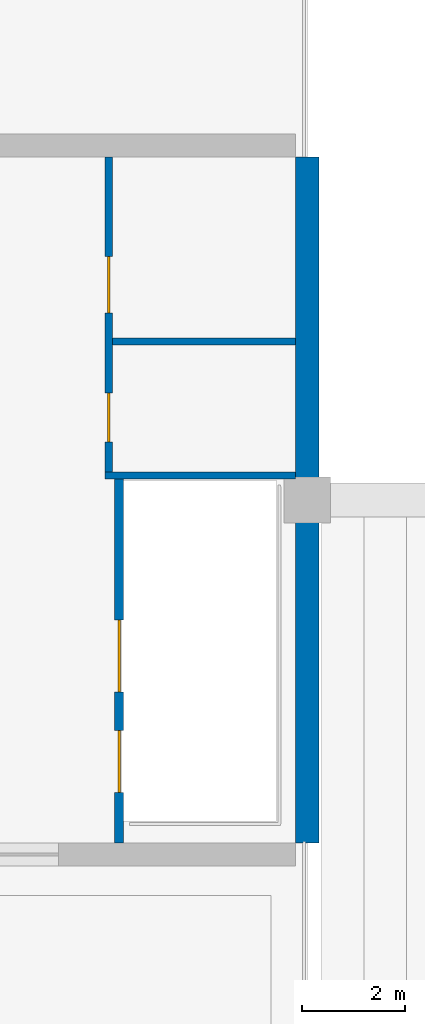
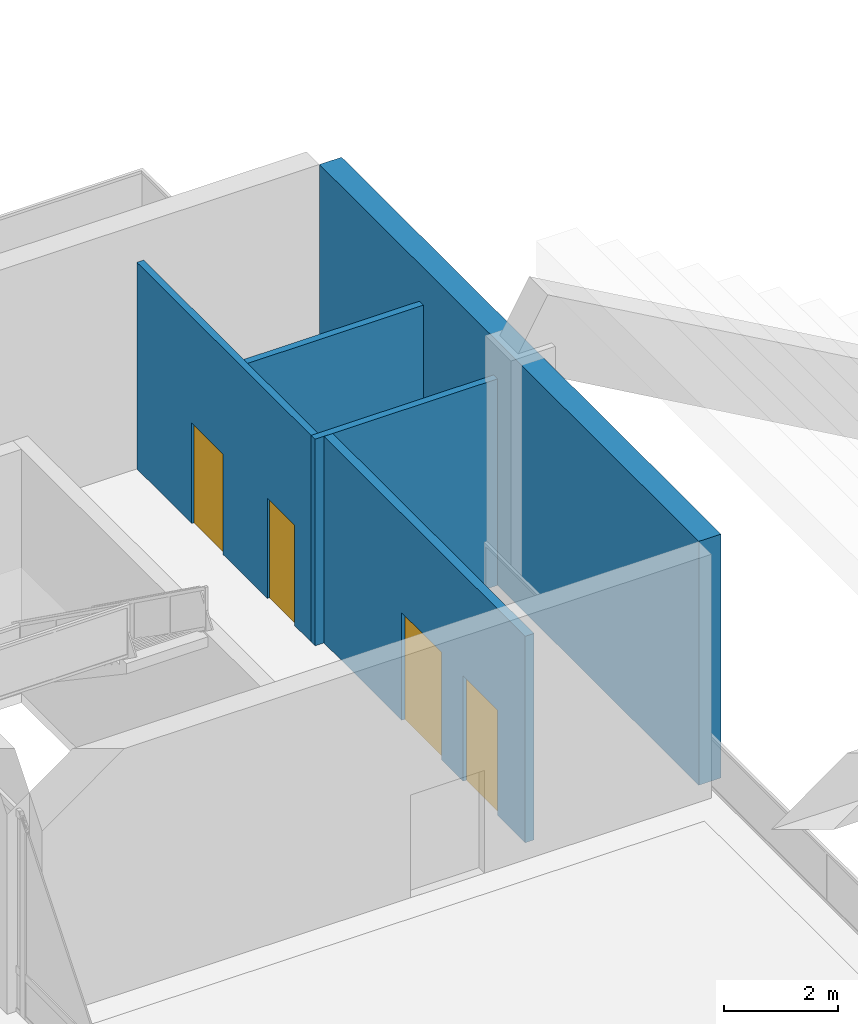
# One storey, part 72 of 90: 5 walls, 4 doors, 4 openings.
"""IFC4 building model written with IfcOpenShell, lengths in metres."""

from ifc_helpers import new_model, si_unit, direction, frame, frame_2d, origin, place, context, subcontext, project, spatial, rectangle, extrude, material, layer, layer_set, type_object, element, fill, save


model = new_model("IFC4")

# Units and contexts
model_context = context("Model", 3, precision=1e-05, world=origin(), true_north=direction((0.0, 1.0)))
body_context = subcontext(model_context, "Body", "Model", "MODEL_VIEW")
ifc_project = project(units=[si_unit("LENGTHUNIT", "METRE"), si_unit("AREAUNIT", "SQUARE_METRE"), si_unit("VOLUMEUNIT", "CUBIC_METRE"), si_unit("PLANEANGLEUNIT", "RADIAN"), si_unit("MASSUNIT", "GRAM", prefix="KILO")], contexts=[model_context])

# Site, building, storey
site_placement = place(None, origin())
site = spatial("IfcSite", under=ifc_project, at=site_placement, CompositionType="ELEMENT")
building_placement = place(site_placement, origin())
building = spatial("IfcBuilding", under=site, at=building_placement, Name="Linyun Crest Stadium", CompositionType="ELEMENT")
storey_placement = place(building_placement, frame((0.0, 0.0, 21.0)))
storey = spatial("IfcBuildingStorey", under=building, at=storey_placement, Name="L05", CompositionType="ELEMENT", Elevation=21.0)

# Wall
ifc_material_1 = material(Name="Concrete C50", Category="concrete")
ifc_layer_1 = layer(ifc_material_1, 0.449951171875)
ifc_layer_set_1 = layer_set([ifc_layer_1], Name="Concrete C50")
wall_type_1 = type_object("IfcWallType", Name="CW03", PredefinedType="SHEAR", material=ifc_layer_set_1)
wall_1_placement = place(storey_placement, frame((-70.0, 36.72509765625, 0.0), z_axis=(0.0, 0.0, 1.0), x_axis=(0.0, 1.0, 0.0)))
element("IfcWall", 1, at=wall_1_placement, inside=storey, type_object=wall_type_1, Name="Core shear wall CW03 CORE-W3 L05.2", PredefinedType="SHEAR", context=body_context, shape_type="SweptSolid", body=[
    extrude(rectangle(XDim=13.2998046875, YDim=0.449951171875, at=frame_2d((6.64990234375, 0.0))), origin(), (0.0, 0.0, 1.0), 5.219970703125),
])

# Wall, openings, doors
ifc_material_2 = material(Name="Autoclaved aerated concrete block fire partition", Category="concrete")
ifc_layer_2 = layer(ifc_material_2, 0.179931640625)
ifc_layer_set_2 = layer_set([ifc_layer_2], Name="Autoclaved aerated concrete block fire partition")
wall_type_2 = type_object("IfcWallType", Name="PW12", PredefinedType="PARTITIONING", material=ifc_layer_set_2)
wall_2_placement = place(storey_placement, frame((-73.64990234375, 36.72509765625, 0.0), z_axis=(0.0, 0.0, 1.0), x_axis=(0.0, 1.0, 0.0)))
wall_2 = element("IfcWall", 2, at=wall_2_placement, inside=storey, type_object=wall_type_2, Name="Partition PW12 L05 53", PredefinedType="PARTITIONING", context=body_context, shape_type="SweptSolid", body=[
    extrude(rectangle(XDim=7.054931640625, YDim=0.179931640625, at=frame_2d((3.52734375, 0.0))), origin(), (0.0, 0.0, 1.0), 4.419921875),
])
opening_1_placement = place(wall_2_placement, frame((0.97509765625, 0.0, 0.0)))
opening_1 = element("IfcOpeningElement", 3, at=opening_1_placement, cuts=wall_2, Name="Opening LD046", PredefinedType="OPENING", context=body_context, shape_type="SweptSolid", body=[
    extrude(rectangle(XDim=1.199951171875, YDim=2.25, at=frame_2d((0.60009765625, 1.125))), frame((0.0, 0.099853515625, 0.0), z_axis=(0.0, -1.0, 0.0), x_axis=(1.0, 0.0, 0.0)), (0.0, 0.0, 1.0), 0.199951171875),
])
opening_2_placement = place(wall_2_placement, frame((2.925048828125, 0.0, 0.0)))
opening_2 = element("IfcOpeningElement", 4, at=opening_2_placement, cuts=wall_2, Name="Opening LD047", PredefinedType="OPENING", context=body_context, shape_type="SweptSolid", body=[
    extrude(rectangle(XDim=1.39990234375, YDim=2.300048828125, at=frame_2d((0.699951171875, 1.14990234375))), frame((0.0, 0.099853515625, 0.0), z_axis=(0.0, -1.0, 0.0), x_axis=(1.0, 0.0, 0.0)), (0.0, 0.0, 1.0), 0.199951171875),
])
ifc_material_3 = material(Name="Brushed stainless sliding lift door")
ifc_layer_3 = layer(ifc_material_3, 0.050048828125)
ifc_layer_set_3 = layer_set([ifc_layer_3], Name="Brushed stainless sliding lift door")
door_type_1 = type_object("IfcDoorType", Name="LD02", OperationType="NOTDEFINED", PredefinedType="DOOR", material=ifc_layer_set_3)
door_1_placement = place(opening_1_placement, origin())
door_1 = element("IfcDoor", 5, at=door_1_placement, inside=storey, type_object=door_type_1, Name="Lift landing door LD046", OperationType="DOUBLE_DOOR_SLIDING", OverallHeight=2.25, OverallWidth=1.199951171875, PredefinedType="DOOR", context=body_context, shape_type="SweptSolid", body=[
    extrude(rectangle(XDim=1.199951171875, YDim=2.25, at=frame_2d((0.60009765625, 1.125))), frame((0.0, 0.02490234375, 0.0), z_axis=(0.0, -1.0, 0.0), x_axis=(1.0, 0.0, 0.0)), (0.0, 0.0, 1.0), 0.050048828125),
])
fill(opening_1, door_1)
ifc_material_4 = material(Name="Heavy-duty stainless sliding door")
ifc_layer_4 = layer(ifc_material_4, 0.054931640625)
ifc_layer_set_4 = layer_set([ifc_layer_4], Name="Heavy-duty stainless sliding door")
door_type_2 = type_object("IfcDoorType", Name="LD03", OperationType="NOTDEFINED", PredefinedType="DOOR", material=ifc_layer_set_4)
door_2_placement = place(opening_2_placement, origin())
door_2 = element("IfcDoor", 6, at=door_2_placement, inside=storey, type_object=door_type_2, Name="Lift landing door LD047", OperationType="DOUBLE_DOOR_SLIDING", OverallHeight=2.300048828125, OverallWidth=1.39990234375, PredefinedType="DOOR", context=body_context, shape_type="SweptSolid", body=[
    extrude(rectangle(XDim=1.39990234375, YDim=2.300048828125, at=frame_2d((0.699951171875, 1.14990234375))), frame((0.0, 0.02490234375, 0.0), z_axis=(0.0, -1.0, 0.0), x_axis=(1.0, 0.0, 0.0)), (0.0, 0.0, 1.0), 0.050048828125),
])
fill(opening_2, door_2)

ifc_material_5 = material(Name="Moisture-resistant ceramic-tiled wet-room wall")
ifc_layer_5 = layer(ifc_material_5, 0.139892578125)
ifc_layer_set_5 = layer_set([ifc_layer_5], Name="Moisture-resistant ceramic-tiled wet-room wall")
wall_type_3 = type_object("IfcWallType", Name="PW15", PredefinedType="PARTITIONING", material=ifc_layer_set_5)
wall_3_placement = place(storey_placement, frame((-73.85009765625, 43.919921875, 0.0), z_axis=(0.0, 0.0, 1.0), x_axis=(0.0, 1.0, 0.0)))
wall_3 = element("IfcWall", 7, at=wall_3_placement, inside=storey, type_object=wall_type_3, Name="Partition PW15 L05 54", PredefinedType="PARTITIONING", context=body_context, shape_type="SweptSolid", body=[
    extrude(rectangle(XDim=6.10498046875, YDim=0.139892578125, at=frame_2d((3.052490234375, 0.0))), origin(), (0.0, 0.0, 1.0), 4.419921875),
])
opening_3_placement = place(wall_3_placement, frame((0.580078125, 0.0, 0.0)))
opening_3 = element("IfcOpeningElement", 8, at=opening_3_placement, cuts=wall_3, Name="Opening D-L05-140", PredefinedType="OPENING", context=body_context, shape_type="SweptSolid", body=[
    extrude(rectangle(XDim=0.949951171875, YDim=2.14990234375, at=frame_2d((0.47509765625, 1.074951171875))), frame((0.0, 0.079833984375, 0.0), z_axis=(0.0, -1.0, 0.0), x_axis=(1.0, 0.0, 0.0)), (0.0, 0.0, 1.0), 0.159912109375),
])
opening_4_placement = place(wall_3_placement, frame((3.080078125, 0.0, 0.0)))
opening_4 = element("IfcOpeningElement", 9, at=opening_4_placement, cuts=wall_3, Name="Opening D-L05-141", PredefinedType="OPENING", context=body_context, shape_type="SweptSolid", body=[
    extrude(rectangle(XDim=1.10009765625, YDim=2.14990234375, at=frame_2d((0.550048828125, 1.074951171875))), frame((0.0, 0.079833984375, 0.0), z_axis=(0.0, -1.0, 0.0), x_axis=(1.0, 0.0, 0.0)), (0.0, 0.0, 1.0), 0.159912109375),
])
ifc_material_6 = material(Name="Moisture-resistant laminate leaf")
ifc_layer_6 = layer(ifc_material_6, 0.044921875)
ifc_layer_set_6 = layer_set([ifc_layer_6], Name="Moisture-resistant laminate leaf")
door_type_3 = type_object("IfcDoorType", Name="ID02", OperationType="NOTDEFINED", PredefinedType="DOOR", material=ifc_layer_set_6)
door_3_placement = place(opening_3_placement, origin())
door_3 = element("IfcDoor", 10, at=door_3_placement, inside=storey, type_object=door_type_3, Name="Door D-L05-140", OperationType="SINGLE_SWING_RIGHT", OverallHeight=2.14990234375, OverallWidth=0.949951171875, PredefinedType="DOOR", context=body_context, shape_type="SweptSolid", body=[
    extrude(rectangle(XDim=0.949951171875, YDim=2.14990234375, at=frame_2d((0.47509765625, 1.074951171875))), frame((0.0, 0.02490234375, 0.0), z_axis=(0.0, -1.0, 0.0), x_axis=(1.0, 0.0, 0.0)), (0.0, 0.0, 1.0), 0.050048828125),
])
fill(opening_3, door_3)
ifc_material_7 = material(Name="Moisture-resistant laminate leaf")
ifc_layer_7 = layer(ifc_material_7, 0.044921875)
ifc_layer_set_7 = layer_set([ifc_layer_7], Name="Moisture-resistant laminate leaf")
door_type_4 = type_object("IfcDoorType", Name="ID03", OperationType="NOTDEFINED", PredefinedType="DOOR", material=ifc_layer_set_7)
door_4_placement = place(opening_4_placement, origin())
door_4 = element("IfcDoor", 11, at=door_4_placement, inside=storey, type_object=door_type_4, Name="Door D-L05-141", OperationType="SINGLE_SWING_LEFT", OverallHeight=2.14990234375, OverallWidth=1.10009765625, PredefinedType="DOOR", context=body_context, shape_type="SweptSolid", body=[
    extrude(rectangle(XDim=1.10009765625, YDim=2.14990234375, at=frame_2d((0.550048828125, 1.074951171875))), frame((0.0, 0.02490234375, 0.0), z_axis=(0.0, -1.0, 0.0), x_axis=(1.0, 0.0, 0.0)), (0.0, 0.0, 1.0), 0.050048828125),
])
fill(opening_4, door_4)

# Walls
wall_4_placement = place(storey_placement, frame((-73.919921875, 43.85009765625, 0.0), z_axis=(0.0, 0.0, 1.0), x_axis=(1.0, 0.0, 0.0)))
element("IfcWall", 12, at=wall_4_placement, inside=storey, type_object=wall_type_3, Name="Enclosure partition PW15 L05 39", PredefinedType="PARTITIONING", context=body_context, shape_type="SweptSolid", body=[
    extrude(rectangle(XDim=3.69482421875, YDim=0.139892578125, at=frame_2d((1.847412109375, 0.0))), origin(), (0.0, 0.0, 1.0), 4.419921875),
])
wall_5_placement = place(storey_placement, frame((-73.780029296875, 46.449951171875, 0.0), z_axis=(0.0, 0.0, 1.0), x_axis=(1.0, 0.0, 0.0)))
element("IfcWall", 13, at=wall_5_placement, inside=storey, type_object=wall_type_3, Name="Enclosure partition PW15 L05 40", PredefinedType="PARTITIONING", context=body_context, shape_type="SweptSolid", body=[
    extrude(rectangle(XDim=3.554931640625, YDim=0.139892578125, at=frame_2d((1.77734375, 0.0))), origin(), (0.0, 0.0, 1.0), 4.419921875),
])

save(model, "model.ifc")
